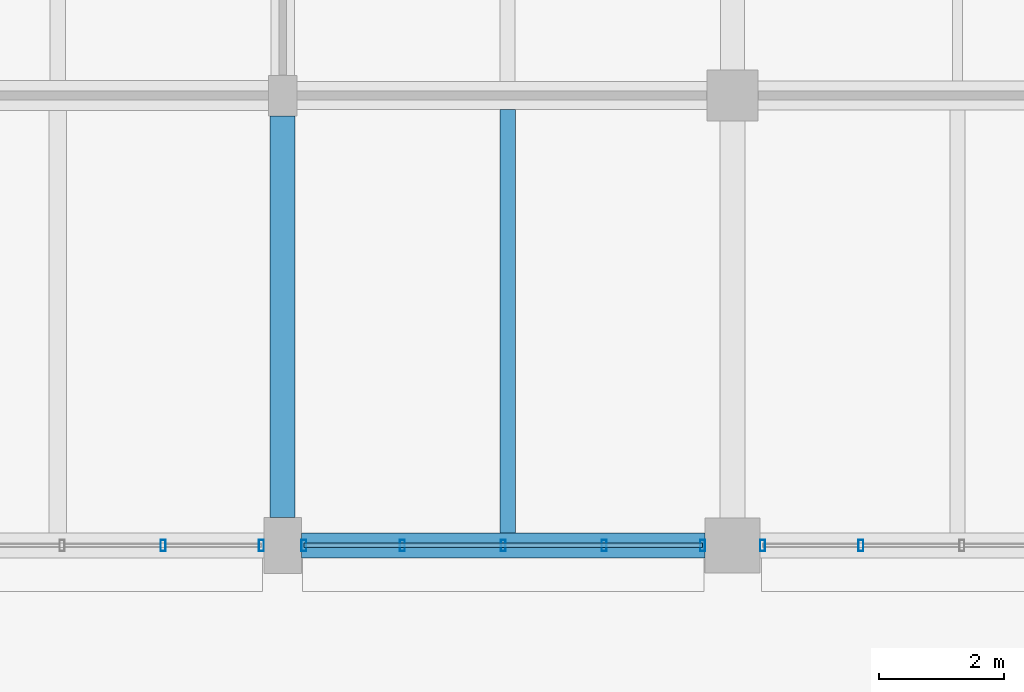
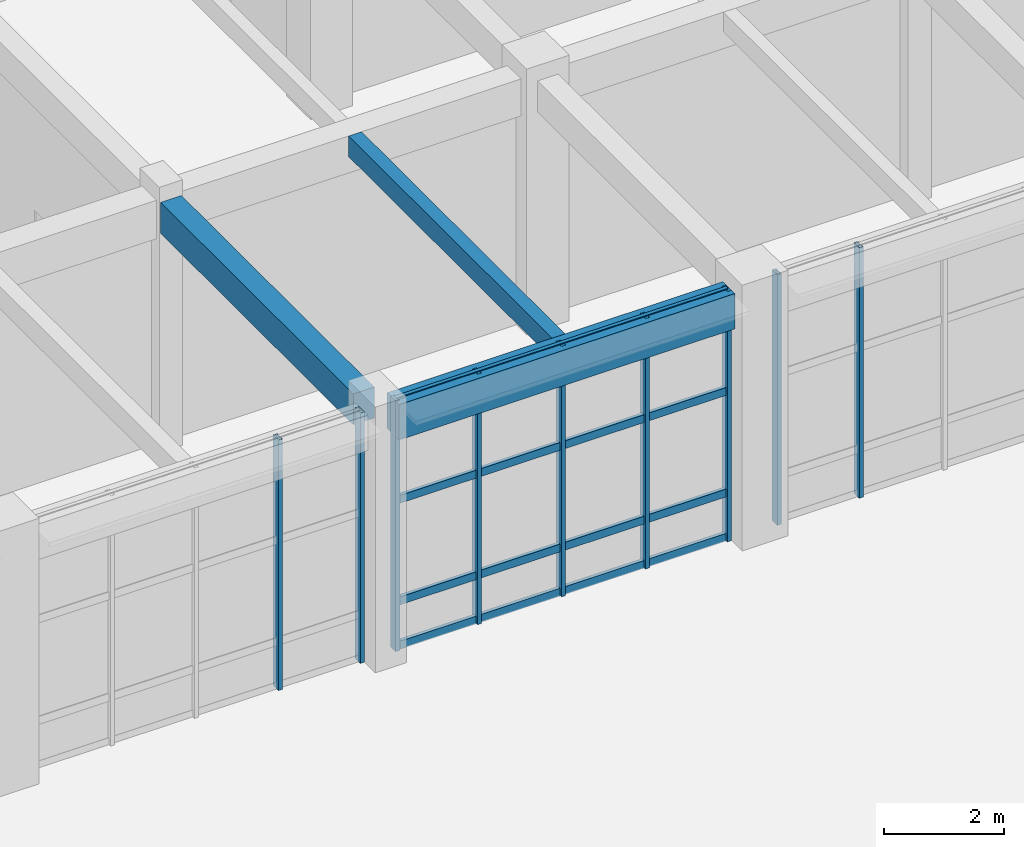
# One storey, part 77 of 160: 13 members, 3 beams, 3 elements without a shape of their own.
"""IFC4 building model written with IfcOpenShell, lengths in metres."""

from ifc_helpers import new_model, si_unit, direction, frame, origin, origin_2d, place, context, subcontext, project, spatial, rectangle, hollow_rectangle, extrude, material, material_profile, profile_set, type_object, element, aggregate, save


model = new_model("IFC4")

# Units and contexts
model_context = context("Model", 3, precision=1e-05, world=origin(), true_north=direction((0.0, 1.0)))
body_context = subcontext(model_context, "Body", "Model", "MODEL_VIEW")
ifc_project = project(units=[si_unit("LENGTHUNIT", "METRE"), si_unit("AREAUNIT", "SQUARE_METRE"), si_unit("VOLUMEUNIT", "CUBIC_METRE"), si_unit("PLANEANGLEUNIT", "RADIAN"), si_unit("MASSUNIT", "GRAM", prefix="KILO")], contexts=[model_context])

# Site, building, storey
site_placement = place(None, origin())
site = spatial("IfcSite", under=ifc_project, at=site_placement, CompositionType="ELEMENT")
building_placement = place(site_placement, origin())
building = spatial("IfcBuilding", under=site, at=building_placement, Name="Thalmaran Polytechnic", CompositionType="ELEMENT")
storey_placement = place(building_placement, origin())
storey = spatial("IfcBuildingStorey", under=building, at=storey_placement, Name="L00", CompositionType="ELEMENT", Elevation=0.0)

# Beams
ifc_material_1 = material(Name="Concrete C40/50", Category="concrete")
ifc_material_profile_1 = material_profile(ifc_material_1, rectangle(XDim=0.39990234375, YDim=0.6298828125, at=origin_2d()), Name="RC 400x630")
ifc_profile_set_1 = profile_set([ifc_material_profile_1], Name="Concrete C40/50")
beam_type_1 = type_object("IfcBeamType", Name="BM-RC07", PredefinedType="BEAM", material=ifc_profile_set_1)
beam_1_placement = place(storey_placement, frame((79.199951171875, 94.050048828125, 4.77490234375), z_axis=(0.0, 1.0, 0.0), x_axis=(-1.0, 0.0, 0.0)))
element("IfcBeam", 1, at=beam_1_placement, inside=storey, type_object=beam_type_1, Name="Grid Beam B07 L00 Y(11,13)", PredefinedType="BEAM", context=body_context, shape_type="SweptSolid", body=[
    extrude(rectangle(XDim=0.39990234375, YDim=0.6298828125, at=origin_2d()), origin(), (0.0, 0.0, 1.0), 6.425048828125),
])
ifc_material_profile_2 = material_profile(ifc_material_1, rectangle(XDim=0.39990234375, YDim=0.719970703125, at=origin_2d()), Name="RC 400x720")
ifc_profile_set_2 = profile_set([ifc_material_profile_2], Name="Concrete C40/50")
beam_type_2 = type_object("IfcBeamType", Name="BM-SP01", PredefinedType="SPANDREL", material=ifc_profile_set_2)
beam_2_placement = place(storey_placement, frame((79.5, 93.60009765625, 4.72998046875), z_axis=(1.0, 0.0, 0.0), x_axis=(0.0, 1.0, 0.0)))
element("IfcBeam", 2, at=beam_2_placement, inside=storey, type_object=beam_type_2, Name="Grid Beam SP01 L00 X(11,13)", PredefinedType="SPANDREL", context=body_context, shape_type="SweptSolid", body=[
    extrude(rectangle(XDim=0.39990234375, YDim=0.719970703125, at=origin_2d()), origin(), (0.0, 0.0, 1.0), 6.4599609375),
])
ifc_material_profile_3 = material_profile(ifc_material_1, rectangle(XDim=0.25, YDim=0.419921875, at=origin_2d()), Name="RC 250x420")
ifc_profile_set_3 = profile_set([ifc_material_profile_3], Name="Concrete C40/50")
beam_type_3 = type_object("IfcBeamType", Name="BM-ZJ03", PredefinedType="JOIST", material=ifc_profile_set_3)
beam_3_placement = place(storey_placement, frame((82.800048828125, 93.800048828125, 4.8798828125), z_axis=(0.0, 1.0, 0.0), x_axis=(-1.0, 0.0, 0.0)))
element("IfcBeam", 3, at=beam_3_placement, inside=storey, type_object=beam_type_3, Name="Secondary Floor Rib ZJ03 L00 (11,13)", PredefinedType="JOIST", context=body_context, shape_type="SweptSolid", body=[
    extrude(rectangle(XDim=0.25, YDim=0.419921875, at=origin_2d()), origin(), (0.0, 0.0, 1.0), 6.77490234375),
])

# Curtain wall, members
ifc_material_2 = material(Name="Aluminium 6063-T6", Category="aluminium")
curtain_wall_type = type_object("IfcCurtainWallType", Name="CW-UC01", PredefinedType="USERDEFINED", material=ifc_material_2)
curtain_wall_1_placement = place(storey_placement, origin())
curtain_wall_1 = element("IfcCurtainWall", 4, at=curtain_wall_1_placement, inside=storey, type_object=curtain_wall_type, Name="Curtain Wall CW-L00-014", ObjectType="UNITISED CURTAIN WALL", PredefinedType="USERDEFINED")
ifc_material_profile_4 = material_profile(ifc_material_2, hollow_rectangle(XDim=0.080078125, YDim=0.179931640625, WallThickness=0.0048828125, at=origin_2d()), Name="RHS 180x80x5.0")
ifc_profile_set_4 = profile_set([ifc_material_profile_4], Name="Aluminium 6063-T6")
member_type_1 = type_object("IfcMemberType", Name="CW-MUL1", PredefinedType="MULLION", material=ifc_profile_set_4)
member_1_placement = place(storey_placement, frame((85.919921875, 93.60009765625, 0.0), z_axis=(0.0, 0.0, 1.0), x_axis=(1.0, 0.0, 0.0)))
member_1 = element("IfcMember", 5, at=member_1_placement, type_object=member_type_1, Name="CW-L00-014 Mullion 1", PredefinedType="MULLION", context=body_context, shape_type="SweptSolid", body=[
    extrude(hollow_rectangle(XDim=0.080078125, YDim=0.179931640625, WallThickness=0.0048828125, at=origin_2d()), origin(), (0.0, 0.0, 1.0), 5.090087890625),
])
member_2_placement = place(storey_placement, frame((84.344970703125, 93.60009765625, 0.0), z_axis=(0.0, 0.0, 1.0), x_axis=(1.0, 0.0, 0.0)))
member_2 = element("IfcMember", 6, at=member_2_placement, type_object=member_type_1, Name="CW-L00-014 Mullion 2", PredefinedType="MULLION", context=body_context, shape_type="SweptSolid", body=[
    extrude(hollow_rectangle(XDim=0.080078125, YDim=0.179931640625, WallThickness=0.0048828125, at=origin_2d()), origin(), (0.0, 0.0, 1.0), 5.090087890625),
])
member_3_placement = place(storey_placement, frame((82.72998046875, 93.60009765625, 0.0), z_axis=(0.0, 0.0, 1.0), x_axis=(1.0, 0.0, 0.0)))
member_3 = element("IfcMember", 7, at=member_3_placement, type_object=member_type_1, Name="CW-L00-014 Mullion 3", PredefinedType="MULLION", context=body_context, shape_type="SweptSolid", body=[
    extrude(hollow_rectangle(XDim=0.080078125, YDim=0.179931640625, WallThickness=0.0048828125, at=origin_2d()), origin(), (0.0, 0.0, 1.0), 5.090087890625),
])
member_4_placement = place(storey_placement, frame((81.114990234375, 93.60009765625, 0.0), z_axis=(0.0, 0.0, 1.0), x_axis=(1.0, 0.0, 0.0)))
member_4 = element("IfcMember", 8, at=member_4_placement, type_object=member_type_1, Name="CW-L00-014 Mullion 4", PredefinedType="MULLION", context=body_context, shape_type="SweptSolid", body=[
    extrude(hollow_rectangle(XDim=0.080078125, YDim=0.179931640625, WallThickness=0.0048828125, at=origin_2d()), origin(), (0.0, 0.0, 1.0), 5.090087890625),
])
member_5_placement = place(storey_placement, frame((79.5400390625, 93.60009765625, 0.0), z_axis=(0.0, 0.0, 1.0), x_axis=(1.0, 0.0, 0.0)))
member_5 = element("IfcMember", 9, at=member_5_placement, type_object=member_type_1, Name="CW-L00-014 Mullion 5", PredefinedType="MULLION", context=body_context, shape_type="SweptSolid", body=[
    extrude(hollow_rectangle(XDim=0.080078125, YDim=0.179931640625, WallThickness=0.0048828125, at=origin_2d()), origin(), (0.0, 0.0, 1.0), 5.090087890625),
])

curtain_wall_2_placement = place(storey_placement, origin())
curtain_wall_2 = element("IfcCurtainWall", 10, at=curtain_wall_2_placement, inside=storey, type_object=curtain_wall_type, Name="Curtain Wall CW-L00-015", ObjectType="UNITISED CURTAIN WALL", PredefinedType="USERDEFINED")
member_6_placement = place(storey_placement, frame((78.860107421875, 93.60009765625, 0.0), z_axis=(0.0, 0.0, 1.0), x_axis=(1.0, 0.0, 0.0)))
member_6 = element("IfcMember", 11, at=member_6_placement, type_object=member_type_1, Name="CW-L00-015 Mullion 1", PredefinedType="MULLION", context=body_context, shape_type="SweptSolid", body=[
    extrude(hollow_rectangle(XDim=0.080078125, YDim=0.179931640625, WallThickness=0.0048828125, at=origin_2d()), origin(), (0.0, 0.0, 1.0), 5.090087890625),
])
member_7_placement = place(storey_placement, frame((77.284912109375, 93.60009765625, 0.0), z_axis=(0.0, 0.0, 1.0), x_axis=(1.0, 0.0, 0.0)))
member_7 = element("IfcMember", 12, at=member_7_placement, type_object=member_type_1, Name="CW-L00-015 Mullion 2", PredefinedType="MULLION", context=body_context, shape_type="SweptSolid", body=[
    extrude(hollow_rectangle(XDim=0.080078125, YDim=0.179931640625, WallThickness=0.0048828125, at=origin_2d()), origin(), (0.0, 0.0, 1.0), 5.090087890625),
])
aggregate(curtain_wall_2, [member_6, member_7])

curtain_wall_3_placement = place(storey_placement, origin())
curtain_wall_3 = element("IfcCurtainWall", 13, at=curtain_wall_3_placement, inside=storey, type_object=curtain_wall_type, Name="Curtain Wall CW-L00-077", ObjectType="UNITISED CURTAIN WALL", PredefinedType="USERDEFINED")
member_8_placement = place(storey_placement, frame((88.455078125, 93.60009765625, 0.0), z_axis=(0.0, 0.0, 1.0), x_axis=(1.0, 0.0, 0.0)))
member_8 = element("IfcMember", 14, at=member_8_placement, type_object=member_type_1, Name="CW-L00-077 Mullion 4", PredefinedType="MULLION", context=body_context, shape_type="SweptSolid", body=[
    extrude(hollow_rectangle(XDim=0.080078125, YDim=0.179931640625, WallThickness=0.0048828125, at=origin_2d()), origin(), (0.0, 0.0, 1.0), 5.090087890625),
])
member_9_placement = place(storey_placement, frame((86.8798828125, 93.60009765625, 0.0), z_axis=(0.0, 0.0, 1.0), x_axis=(1.0, 0.0, 0.0)))
member_9 = element("IfcMember", 15, at=member_9_placement, type_object=member_type_1, Name="CW-L00-077 Mullion 5", PredefinedType="MULLION", context=body_context, shape_type="SweptSolid", body=[
    extrude(hollow_rectangle(XDim=0.080078125, YDim=0.179931640625, WallThickness=0.0048828125, at=origin_2d()), origin(), (0.0, 0.0, 1.0), 5.090087890625),
])
aggregate(curtain_wall_3, [member_8, member_9])

# Member
ifc_material_profile_5 = material_profile(ifc_material_2, hollow_rectangle(XDim=0.070068359375, YDim=0.159912109375, WallThickness=0.00390625, at=origin_2d()), Name="AL 160x70x4.0")
ifc_profile_set_5 = profile_set([ifc_material_profile_5], Name="Aluminium 6063-T6")
member_type_2 = type_object("IfcMemberType", Name="CW-TRN1", PredefinedType="USERDEFINED", material=ifc_profile_set_5)
member_10_placement = place(storey_placement, frame((85.919921875, 93.60009765625, 0.06005859375), z_axis=(-1.0, 0.0, 0.0), x_axis=(0.0, -1.0, 0.0)))
member_10 = element("IfcMember", 16, at=member_10_placement, type_object=member_type_2, Name="CW-L00-014 Transom 1", ObjectType="TRANSOM", PredefinedType="USERDEFINED", context=body_context, shape_type="SweptSolid", body=[
    extrude(hollow_rectangle(XDim=0.070068359375, YDim=0.159912109375, WallThickness=0.00390625, at=origin_2d()), origin(), (0.0, 0.0, 1.0), 6.3798828125),
])

member_11_placement = place(storey_placement, frame((85.919921875, 93.60009765625, 0.9599609375), z_axis=(-1.0, 0.0, 0.0), x_axis=(0.0, -1.0, 0.0)))
member_11 = element("IfcMember", 17, at=member_11_placement, type_object=member_type_2, Name="CW-L00-014 Transom 2", ObjectType="TRANSOM", PredefinedType="USERDEFINED", context=body_context, shape_type="SweptSolid", body=[
    extrude(hollow_rectangle(XDim=0.070068359375, YDim=0.159912109375, WallThickness=0.00390625, at=origin_2d()), origin(), (0.0, 0.0, 1.0), 6.3798828125),
])

member_12_placement = place(storey_placement, frame((85.919921875, 93.60009765625, 3.02490234375), z_axis=(-1.0, 0.0, 0.0), x_axis=(0.0, -1.0, 0.0)))
member_12 = element("IfcMember", 18, at=member_12_placement, type_object=member_type_2, Name="CW-L00-014 Transom 3", ObjectType="TRANSOM", PredefinedType="USERDEFINED", context=body_context, shape_type="SweptSolid", body=[
    extrude(hollow_rectangle(XDim=0.070068359375, YDim=0.159912109375, WallThickness=0.00390625, at=origin_2d()), origin(), (0.0, 0.0, 1.0), 6.3798828125),
])

member_13_placement = place(storey_placement, frame((85.919921875, 93.60009765625, 5.030029296875), z_axis=(-1.0, 0.0, 0.0), x_axis=(0.0, -1.0, 0.0)))
member_13 = element("IfcMember", 19, at=member_13_placement, type_object=member_type_2, Name="CW-L00-014 Transom 4", ObjectType="TRANSOM", PredefinedType="USERDEFINED", context=body_context, shape_type="SweptSolid", body=[
    extrude(hollow_rectangle(XDim=0.070068359375, YDim=0.159912109375, WallThickness=0.00390625, at=origin_2d()), origin(), (0.0, 0.0, 1.0), 6.3798828125),
])

aggregate(curtain_wall_1, [member_1, member_2, member_3, member_4, member_5, member_10, member_11, member_12, member_13])

save(model, "model.ifc")
